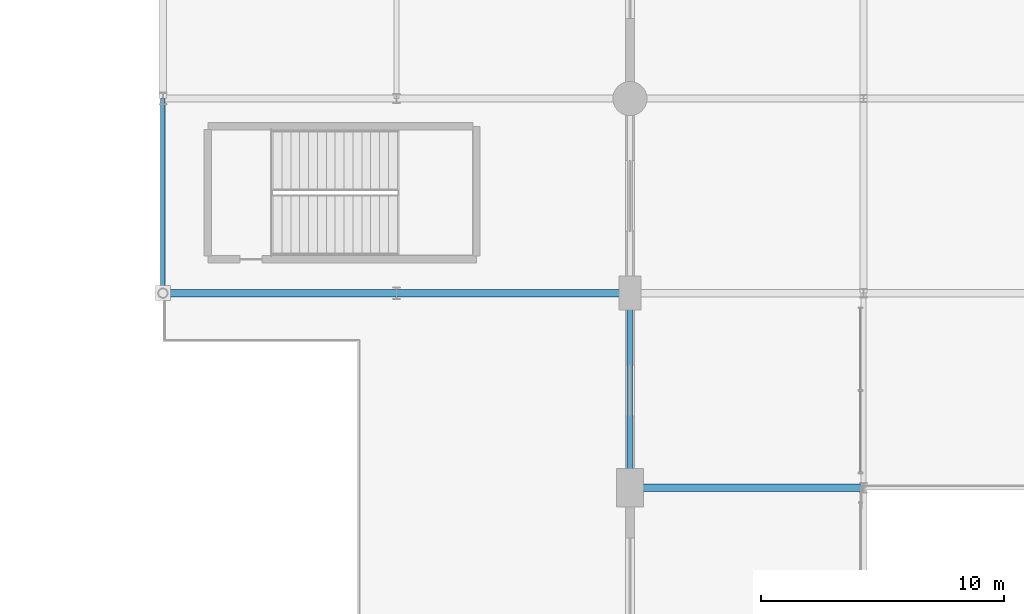
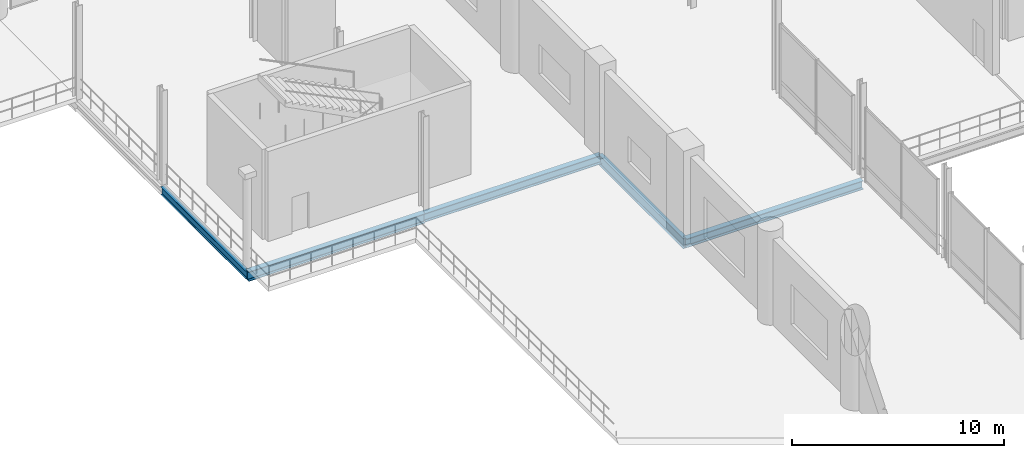
# One storey, part 51 of 129: 5 beams.
"""IFC4 building model written with IfcOpenShell, lengths in metres."""

from ifc_helpers import new_model, si_unit, direction, frame, origin, origin_2d, place, context, subcontext, project, spatial, i_section, extrude, material, material_profile, profile_set, type_object, element, save


model = new_model("IFC4")

# Units and contexts
model_context = context("Model", 3, precision=1e-05, world=origin(), true_north=direction((0.0, 1.0)))
body_context = subcontext(model_context, "Body", "Model", "MODEL_VIEW")
ifc_project = project(units=[si_unit("LENGTHUNIT", "METRE"), si_unit("AREAUNIT", "SQUARE_METRE"), si_unit("VOLUMEUNIT", "CUBIC_METRE"), si_unit("PLANEANGLEUNIT", "RADIAN"), si_unit("MASSUNIT", "GRAM", prefix="KILO")], contexts=[model_context])

# Site, building, storey
site_placement = place(None, origin())
site = spatial("IfcSite", under=ifc_project, at=site_placement, CompositionType="ELEMENT")
building_placement = place(site_placement, origin())
building = spatial("IfcBuilding", under=site, at=building_placement, Name="Danafjord Basin Convention Centre", CompositionType="ELEMENT")
storey_placement = place(building_placement, frame((0.0, 0.0, 6.0)))
storey = spatial("IfcBuildingStorey", under=building, at=storey_placement, Name="L01", CompositionType="ELEMENT", Elevation=6.0)

# Beams
ifc_material = material(Name="Steel S355", Category="steel")
ifc_material_profile_1 = material_profile(ifc_material, i_section(OverallWidth=0.300048828125, OverallDepth=0.5, WebThickness=0.014404296875, FlangeThickness=0.028076171875, FilletRadius=0.027099609375, at=origin_2d()), Name="HEB 500")
ifc_profile_set_1 = profile_set([ifc_material_profile_1], Name="Steel S355")
beam_type_1 = type_object("IfcBeamType", Name="BEAM-BM-HEB500", PredefinedType="BEAM", material=ifc_profile_set_1)
beam_1_placement = place(storey_placement, frame((105.60009765625, 120.0, -0.5), z_axis=(1.0, 0.0, 0.0), x_axis=(0.0, 1.0, 0.0)))
element("IfcBeam", 1, at=beam_1_placement, inside=storey, type_object=beam_type_1, Name="L01 girder BM-HEB500", PredefinedType="BEAM", context=body_context, shape_type="SweptSolid", body=[
    extrude(i_section(OverallWidth=0.300048828125, OverallDepth=0.5, WebThickness=0.014404296875, FlangeThickness=0.028076171875, FilletRadius=0.027099609375, at=origin_2d()), origin(), (0.0, 0.0, 1.0), 9.599853515625),
])
beam_2_placement = place(storey_placement, frame((115.199951171875, 112.0, -0.47998046875), z_axis=(1.0, 0.0, 0.0), x_axis=(0.0, 1.0, 0.0)))
element("IfcBeam", 2, at=beam_2_placement, inside=storey, type_object=beam_type_1, Name="L01 girder BM-HEB500", PredefinedType="BEAM", context=body_context, shape_type="SweptSolid", body=[
    extrude(i_section(OverallWidth=0.300048828125, OverallDepth=0.5, WebThickness=0.014404296875, FlangeThickness=0.028076171875, FilletRadius=0.027099609375, at=origin_2d()), origin(), (0.0, 0.0, 1.0), 9.60009765625),
])
ifc_material_profile_2 = material_profile(ifc_material, i_section(OverallWidth=0.300048828125, OverallDepth=0.550048828125, WebThickness=0.014892578125, FlangeThickness=0.029052734375, FilletRadius=0.027099609375, at=origin_2d()), Name="HEB 550")
ifc_profile_set_2 = profile_set([ifc_material_profile_2], Name="Steel S355")
beam_type_2 = type_object("IfcBeamType", Name="BEAM-BM-HEB550", PredefinedType="BEAM", material=ifc_profile_set_2)
beam_3_placement = place(storey_placement, frame((96.0, 120.0, -0.52490234375), z_axis=(1.0, 0.0, 0.0), x_axis=(0.0, 1.0, 0.0)))
element("IfcBeam", 3, at=beam_3_placement, inside=storey, type_object=beam_type_2, Name="L01 girder BM-HEB550", PredefinedType="BEAM", context=body_context, shape_type="SweptSolid", body=[
    extrude(i_section(OverallWidth=0.300048828125, OverallDepth=0.550048828125, WebThickness=0.014892578125, FlangeThickness=0.029052734375, FilletRadius=0.027099609375, at=origin_2d()), origin(), (0.0, 0.0, 1.0), 9.60009765625),
])
ifc_material_profile_3 = material_profile(ifc_material, i_section(OverallWidth=0.219970703125, OverallDepth=0.60009765625, WebThickness=0.011962890625, FlangeThickness=0.01904296875, FilletRadius=0.02392578125, at=origin_2d()), Name="IPE 600")
ifc_profile_set_3 = profile_set([ifc_material_profile_3], Name="Steel S355")
beam_type_3 = type_object("IfcBeamType", Name="BEAM-BM-IPE600", PredefinedType="BEAM", material=ifc_profile_set_3)
beam_4_placement = place(storey_placement, frame((115.199951171875, 112.0, -0.550048828125), z_axis=(0.0, 1.0, 0.0), x_axis=(-1.0, 0.0, 0.0)))
element("IfcBeam", 4, at=beam_4_placement, inside=storey, type_object=beam_type_3, Name="L01 transverse girder BM-IPE600", PredefinedType="BEAM", context=body_context, shape_type="SweptSolid", body=[
    extrude(i_section(OverallWidth=0.219970703125, OverallDepth=0.60009765625, WebThickness=0.011962890625, FlangeThickness=0.01904296875, FilletRadius=0.02392578125, at=origin_2d()), origin(), (0.0, 0.0, 1.0), 8.0),
])
ifc_material_profile_4 = material_profile(ifc_material, i_section(OverallWidth=0.18994140625, OverallDepth=0.449951171875, WebThickness=0.009521484375, FlangeThickness=0.0146484375, FilletRadius=0.02099609375, at=origin_2d()), Name="IPE 450")
ifc_profile_set_4 = profile_set([ifc_material_profile_4], Name="Steel S355")
beam_type_4 = type_object("IfcBeamType", Name="BEAM-SP-IPE450", PredefinedType="SPANDREL", material=ifc_profile_set_4)
beam_5_placement = place(storey_placement, frame((96.0, 120.0, -0.47509765625), z_axis=(0.0, 1.0, 0.0), x_axis=(-1.0, 0.0, 0.0)))
element("IfcBeam", 5, at=beam_5_placement, inside=storey, type_object=beam_type_4, Name="L01 transverse girder SP-IPE450", PredefinedType="SPANDREL", context=body_context, shape_type="SweptSolid", body=[
    extrude(i_section(OverallWidth=0.18994140625, OverallDepth=0.449951171875, WebThickness=0.009521484375, FlangeThickness=0.0146484375, FilletRadius=0.02099609375, at=origin_2d()), origin(), (0.0, 0.0, 1.0), 8.0),
])

save(model, "model.ifc")
